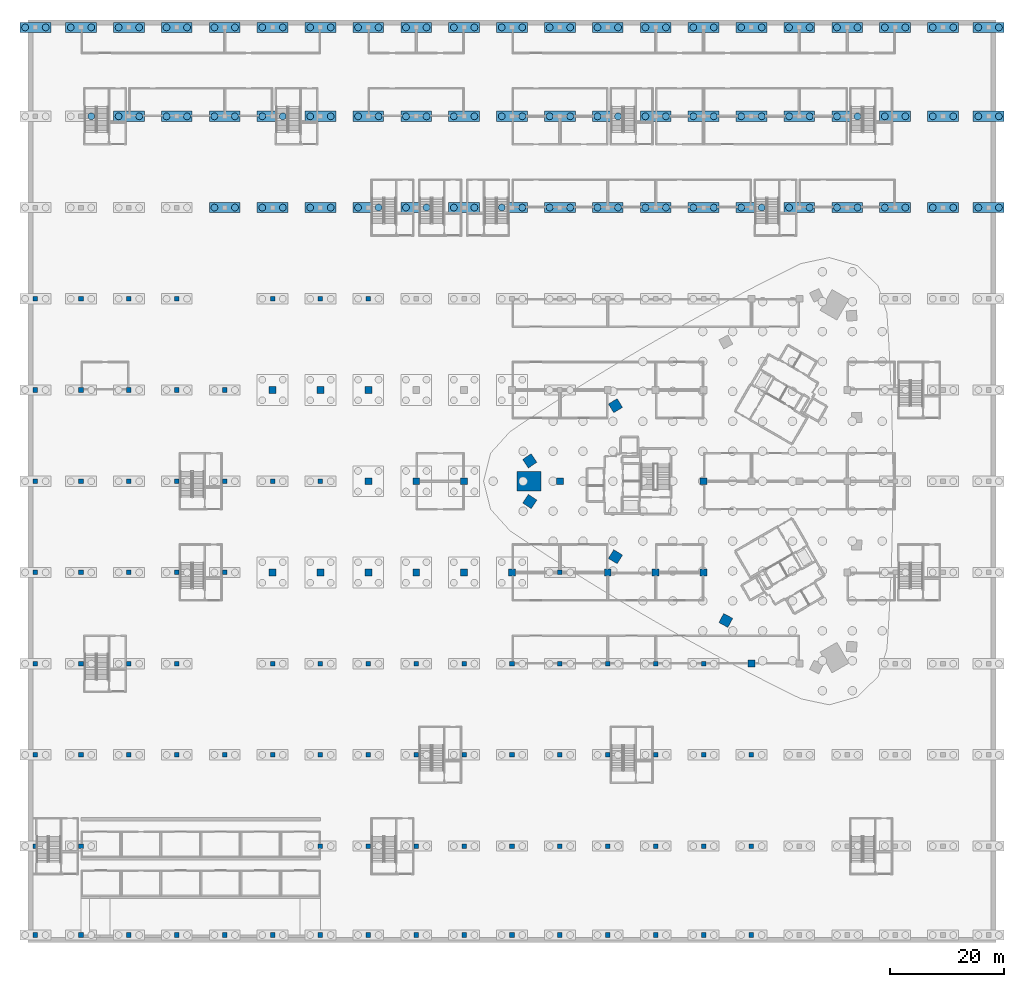
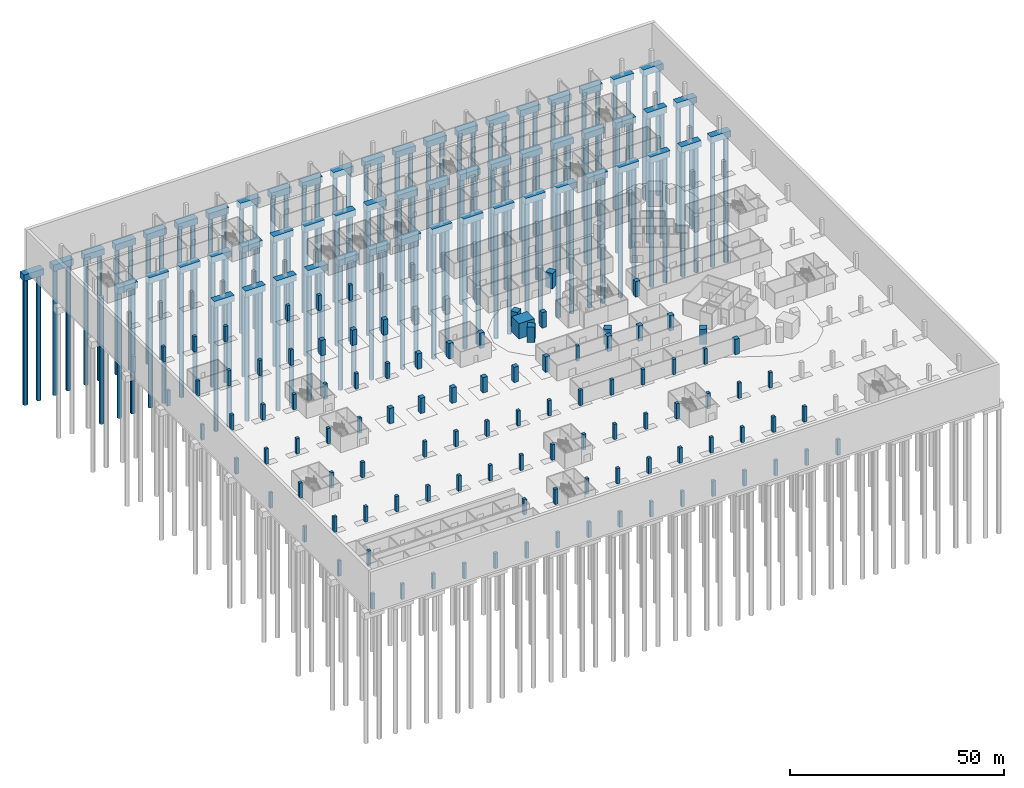
# One storey, part 3 of 46: 115 piles, 107 columns, 57 footings.
"""IFC4 building model written with IfcOpenShell, lengths in metres."""

from ifc_helpers import new_model, si_unit, direction, frame, origin, origin_2d, place, context, subcontext, project, spatial, rectangle, circle, extrude, material, material_profile, profile_set, type_object, element, save


model = new_model("IFC4")

# Units and contexts
model_context = context("Model", 3, precision=1e-05, world=origin(), true_north=direction((0.0, 1.0)))
body_context = subcontext(model_context, "Body", "Model", "MODEL_VIEW")
ifc_project = project(units=[si_unit("LENGTHUNIT", "METRE"), si_unit("AREAUNIT", "SQUARE_METRE"), si_unit("VOLUMEUNIT", "CUBIC_METRE"), si_unit("PLANEANGLEUNIT", "RADIAN"), si_unit("MASSUNIT", "GRAM", prefix="KILO")], contexts=[model_context])

# Site, building, storey
site_placement = place(None, origin())
site = spatial("IfcSite", under=ifc_project, at=site_placement, CompositionType="ELEMENT")
building_placement = place(site_placement, origin())
building = spatial("IfcBuilding", under=site, at=building_placement, Name="Tamra Quay Hotel Tower", CompositionType="ELEMENT")
storey_placement = place(building_placement, frame((0.0, 0.0, -12.0)))
storey = spatial("IfcBuildingStorey", under=building, at=storey_placement, Name="B3", CompositionType="ELEMENT", Elevation=-12.0)

# Piles
ifc_material_1 = material(Name="Concrete M40", Category="concrete")
ifc_material_profile_1 = material_profile(ifc_material_1, circle(Radius=0.60009765625, at=origin_2d()), Name="BORED PILE 1200")
ifc_profile_set_1 = profile_set([ifc_material_profile_1], Name="Concrete M40")
pile_type = type_object("IfcPileType", Name="BORED PILE 1200", PredefinedType="BORED", material=ifc_profile_set_1)
for number, where, z_axis, x_axis, name in (
    (1, (-124.10009765625, 79.60009765625, -1.60009765625), (0.0, 0.0, -1.0), (1.0, 0.0, 0.0), "PILE-BC011-1"),
    (2, (-120.5, 79.60009765625, -1.60009765625), (0.0, 0.0, -1.0), (1.0, 0.0, 0.0), "PILE-BC011-2"),
    (3, (-112.5, 64.0, -1.60009765625), (0.0, 0.0, -1.0), (1.0, 0.0, 0.0), "PILE-BC021-2"),
    (4, (-116.10009765625, 79.60009765625, -1.60009765625), (0.0, 0.0, -1.0), (1.0, 0.0, 0.0), "PILE-BC022-1"),
    (5, (-112.5, 79.60009765625, -1.60009765625), (0.0, 0.0, -1.0), (1.0, 0.0, 0.0), "PILE-BC022-2"),
    (6, (-107.699951171875, 64.0, -1.60009765625), (0.0, 0.0, -1.0), (1.0, 0.0, 0.0), "PILE-BC031-1"),
    (7, (-104.10009765625, 64.0, -1.60009765625), (0.0, 0.0, -1.0), (1.0, 0.0, 0.0), "PILE-BC031-2"),
    (8, (-107.699951171875, 79.60009765625, -1.60009765625), (0.0, 0.0, -1.0), (1.0, 0.0, 0.0), "PILE-BC032-1"),
    (9, (-104.10009765625, 79.60009765625, -1.60009765625), (0.0, 0.0, -1.0), (1.0, 0.0, 0.0), "PILE-BC032-2"),
    (10, (-99.300048828125, 64.0, -1.60009765625), (0.0, 0.0, -1.0), (1.0, 0.0, 0.0), "PILE-BC041-1"),
    (11, (-95.699951171875, 64.0, -1.60009765625), (0.0, 0.0, -1.0), (1.0, 0.0, 0.0), "PILE-BC041-2"),
    (12, (-99.300048828125, 79.60009765625, -1.60009765625), (0.0, 0.0, -1.0), (1.0, 0.0, 0.0), "PILE-BC042-1"),
    (13, (-95.699951171875, 79.60009765625, -1.60009765625), (0.0, 0.0, -1.0), (1.0, 0.0, 0.0), "PILE-BC042-2"),
    (14, (-90.89990234375, 48.0, -1.60009765625), (0.0, 0.0, -1.0), (1.0, 0.0, 0.0), "PILE-BC048-1"),
    (15, (-87.300048828125, 48.0, -1.60009765625), (0.0, 0.0, -1.0), (1.0, 0.0, 0.0), "PILE-BC048-2"),
    (16, (-90.89990234375, 64.0, -1.60009765625), (0.0, 0.0, -1.0), (1.0, 0.0, 0.0), "PILE-BC049-1"),
    (17, (-87.300048828125, 64.0, -1.60009765625), (0.0, 0.0, -1.0), (1.0, 0.0, 0.0), "PILE-BC049-2"),
    (18, (-90.89990234375, 79.60009765625, -1.60009765625), (0.0, 0.0, -1.0), (1.0, 0.0, 0.0), "PILE-BC050-1"),
    (19, (-87.300048828125, 79.60009765625, -1.60009765625), (0.0, 0.0, -1.0), (1.0, 0.0, 0.0), "PILE-BC050-2"),
    (20, (-82.5, 48.0, -1.60009765625), (0.0, 0.0, -1.0), (1.0, 0.0, 0.0), "PILE-BC058-1"),
    (21, (-78.89990234375, 48.0, -1.60009765625), (0.0, 0.0, -1.0), (1.0, 0.0, 0.0), "PILE-BC058-2"),
    (22, (-82.5, 64.0, -1.60009765625), (0.0, 0.0, -1.0), (1.0, 0.0, 0.0), "PILE-BC059-1"),
    (23, (-78.89990234375, 64.0, -1.60009765625), (0.0, 0.0, -1.0), (1.0, 0.0, 0.0), "PILE-BC059-2"),
    (24, (-82.5, 79.60009765625, -1.60009765625), (0.0, 0.0, -1.0), (1.0, 0.0, 0.0), "PILE-BC060-1"),
    (25, (-78.89990234375, 79.60009765625, -1.60009765625), (0.0, 0.0, -1.0), (1.0, 0.0, 0.0), "PILE-BC060-2"),
    (26, (-74.10009765625, 48.0, -1.60009765625), (0.0, 0.0, -1.0), (1.0, 0.0, 0.0), "PILE-BC069-1"),
    (27, (-70.5, 48.0, -1.60009765625), (0.0, 0.0, -1.0), (1.0, 0.0, 0.0), "PILE-BC069-2"),
    (28, (-74.10009765625, 64.0, -1.60009765625), (0.0, 0.0, -1.0), (1.0, 0.0, 0.0), "PILE-BC070-1"),
    (29, (-70.5, 64.0, -1.60009765625), (0.0, 0.0, -1.0), (1.0, 0.0, 0.0), "PILE-BC070-2"),
    (30, (-74.10009765625, 79.60009765625, -1.60009765625), (0.0, 0.0, -1.0), (1.0, 0.0, 0.0), "PILE-BC071-1"),
    (31, (-70.5, 79.60009765625, -1.60009765625), (0.0, 0.0, -1.0), (1.0, 0.0, 0.0), "PILE-BC071-2"),
    (32, (-65.699951171875, 48.0, -1.60009765625), (0.0, 0.0, -1.0), (1.0, 0.0, 0.0), "PILE-BC080-1"),
    (33, (-62.10009765625, 48.0, -1.60009765625), (0.0, 0.0, -1.0), (1.0, 0.0, 0.0), "PILE-BC080-2"),
    (34, (-65.699951171875, 64.0, -1.60009765625), (0.0, 0.0, -1.0), (1.0, 0.0, 0.0), "PILE-BC081-1"),
    (35, (-62.10009765625, 64.0, -1.60009765625), (0.0, 0.0, -1.0), (1.0, 0.0, 0.0), "PILE-BC081-2"),
    (36, (-65.699951171875, 79.60009765625, -1.60009765625), (0.0, 0.0, -1.0), (1.0, 0.0, 0.0), "PILE-BC082-1"),
    (37, (-62.10009765625, 79.60009765625, -1.60009765625), (0.0, 0.0, -1.0), (1.0, 0.0, 0.0), "PILE-BC082-2"),
    (38, (-57.300048828125, 48.0, -1.60009765625), (0.0, 0.0, -1.0), (1.0, 0.0, 0.0), "PILE-BC091-1"),
    (39, (-53.699951171875, 48.0, -1.60009765625), (0.0, 0.0, -1.0), (1.0, 0.0, 0.0), "PILE-BC091-2"),
    (40, (-57.300048828125, 64.0, -1.60009765625), (0.0, 0.0, -1.0), (1.0, 0.0, 0.0), "PILE-BC092-1"),
    (41, (-53.699951171875, 64.0, -1.60009765625), (0.0, 0.0, -1.0), (1.0, 0.0, 0.0), "PILE-BC092-2"),
    (42, (-57.300048828125, 79.60009765625, -1.60009765625), (0.0, 0.0, -1.0), (1.0, 0.0, 0.0), "PILE-BC093-1"),
    (43, (-53.699951171875, 79.60009765625, -1.60009765625), (0.0, 0.0, -1.0), (1.0, 0.0, 0.0), "PILE-BC093-2"),
    (44, (-48.89990234375, 48.0, -1.60009765625), (0.0, 0.0, -1.0), (1.0, 0.0, 0.0), "PILE-BC102-1"),
    (45, (-45.300048828125, 48.0, -1.60009765625), (0.0, 0.0, -1.0), (1.0, 0.0, 0.0), "PILE-BC102-2"),
    (46, (-48.89990234375, 64.0, -1.60009765625), (0.0, 0.0, -1.0), (1.0, 0.0, 0.0), "PILE-BC103-1"),
    (47, (-45.300048828125, 64.0, -1.60009765625), (0.0, 0.0, -1.0), (1.0, 0.0, 0.0), "PILE-BC103-2"),
    (48, (-48.89990234375, 79.60009765625, -1.60009765625), (0.0, 0.0, -1.0), (1.0, 0.0, 0.0), "PILE-BC104-1"),
    (49, (-45.300048828125, 79.60009765625, -1.60009765625), (0.0, 0.0, -1.0), (1.0, 0.0, 0.0), "PILE-BC104-2"),
    (50, (-40.5, 48.0, -1.60009765625), (0.0, 0.0, -1.0), (1.0, 0.0, 0.0), "PILE-BC112-1"),
    (51, (-36.89990234375, 48.0, -1.60009765625), (0.0, 0.0, -1.0), (1.0, 0.0, 0.0), "PILE-BC112-2"),
    (52, (-40.5, 64.0, -1.60009765625), (0.0, 0.0, -1.0), (1.0, 0.0, 0.0), "PILE-BC113-1"),
    (53, (-36.89990234375, 64.0, -1.60009765625), (0.0, 0.0, -1.0), (1.0, 0.0, 0.0), "PILE-BC113-2"),
    (54, (-40.5, 79.60009765625, -1.60009765625), (0.0, 0.0, -1.0), (1.0, 0.0, 0.0), "PILE-BC114-1"),
    (55, (-36.89990234375, 79.60009765625, -1.60009765625), (0.0, 0.0, -1.0), (1.0, 0.0, 0.0), "PILE-BC114-2"),
    (56, (-32.10009765625, 48.0, -1.60009765625), (0.0, 0.0, -1.0), (1.0, 0.0, 0.0), "PILE-BC123-1"),
    (57, (-28.5, 48.0, -1.60009765625), (0.0, 0.0, -1.0), (1.0, 0.0, 0.0), "PILE-BC123-2"),
    (58, (-32.10009765625, 64.0, -1.60009765625), (0.0, 0.0, -1.0), (1.0, 0.0, 0.0), "PILE-BC124-1"),
    (59, (-28.5, 64.0, -1.60009765625), (0.0, 0.0, -1.0), (1.0, 0.0, 0.0), "PILE-BC124-2"),
    (60, (-32.10009765625, 79.60009765625, -1.60009765625), (0.0, 0.0, -1.0), (1.0, 0.0, 0.0), "PILE-BC125-1"),
    (61, (-28.5, 79.60009765625, -1.60009765625), (0.0, 0.0, -1.0), (1.0, 0.0, 0.0), "PILE-BC125-2"),
    (62, (-23.699951171875, 48.0, -1.60009765625), (0.0, 0.0, -1.0), (1.0, 0.0, 0.0), "PILE-BC133-1"),
    (63, (-20.10009765625, 48.0, -1.60009765625), (0.0, 0.0, -1.0), (1.0, 0.0, 0.0), "PILE-BC133-2"),
    (64, (-23.699951171875, 64.0, -1.60009765625), (0.0, 0.0, -1.0), (1.0, 0.0, 0.0), "PILE-BC134-1"),
    (65, (-20.10009765625, 64.0, -1.60009765625), (0.0, 0.0, -1.0), (1.0, 0.0, 0.0), "PILE-BC134-2"),
    (66, (-23.699951171875, 79.60009765625, -1.60009765625), (0.0, 0.0, -1.0), (1.0, 0.0, 0.0), "PILE-BC135-1"),
    (67, (-20.10009765625, 79.60009765625, -1.60009765625), (0.0, 0.0, -1.0), (1.0, 0.0, 0.0), "PILE-BC135-2"),
    (68, (-15.300048828125, 48.0, -1.60009765625), (0.0, 0.0, -1.0), (1.0, 0.0, 0.0), "PILE-BC143-1"),
    (69, (-11.699951171875, 48.0, -1.60009765625), (0.0, 0.0, -1.0), (1.0, 0.0, 0.0), "PILE-BC143-2"),
    (70, (-15.300048828125, 64.0, -1.60009765625), (0.0, 0.0, -1.0), (1.0, 0.0, 0.0), "PILE-BC144-1"),
    (71, (-11.699951171875, 64.0, -1.60009765625), (0.0, 0.0, -1.0), (1.0, 0.0, 0.0), "PILE-BC144-2"),
    (72, (-15.300048828125, 79.60009765625, -1.60009765625), (0.0, 0.0, -1.0), (1.0, 0.0, 0.0), "PILE-BC145-1"),
    (73, (-11.699951171875, 79.60009765625, -1.60009765625), (0.0, 0.0, -1.0), (1.0, 0.0, 0.0), "PILE-BC145-2"),
    (74, (-6.89990234375, 48.0, -1.60009765625), (0.0, 0.0, -1.0), (1.0, 0.0, 0.0), "PILE-BC154-1"),
    (75, (-3.300048828125, 48.0, -1.60009765625), (0.0, 0.0, -1.0), (1.0, 0.0, 0.0), "PILE-BC154-2"),
    (76, (-6.89990234375, 64.0, -1.60009765625), (0.0, 0.0, -1.0), (1.0, 0.0, 0.0), "PILE-BC155-1"),
    (77, (-3.300048828125, 64.0, -1.60009765625), (0.0, 0.0, -1.0), (1.0, 0.0, 0.0), "PILE-BC155-2"),
    (78, (-6.89990234375, 79.60009765625, -1.60009765625), (0.0, 0.0, -1.0), (1.0, 0.0, 0.0), "PILE-BC156-1"),
    (79, (-3.300048828125, 79.60009765625, -1.60009765625), (0.0, 0.0, -1.0), (1.0, 0.0, 0.0), "PILE-BC156-2"),
    (80, (1.5, 48.0, -1.60009765625), (0.0, 0.0, -1.0), (1.0, 0.0, 0.0), "PILE-BC163-1"),
    (81, (5.10009765625, 48.0, -1.60009765625), (0.0, 0.0, -1.0), (1.0, 0.0, 0.0), "PILE-BC163-2"),
    (82, (1.5, 64.0, -1.60009765625), (0.0, 0.0, -1.0), (1.0, 0.0, 0.0), "PILE-BC164-1"),
    (83, (5.10009765625, 64.0, -1.60009765625), (0.0, 0.0, -1.0), (1.0, 0.0, 0.0), "PILE-BC164-2"),
    (84, (1.5, 79.60009765625, -1.60009765625), (0.0, 0.0, -1.0), (1.0, 0.0, 0.0), "PILE-BC165-1"),
    (85, (5.10009765625, 79.60009765625, -1.60009765625), (0.0, 0.0, -1.0), (1.0, 0.0, 0.0), "PILE-BC165-2"),
    (86, (9.89990234375, 48.0, -1.60009765625), (0.0, 0.0, -1.0), (1.0, 0.0, 0.0), "PILE-BC172-1"),
    (87, (13.5, 48.0, -1.60009765625), (0.0, 0.0, -1.0), (1.0, 0.0, 0.0), "PILE-BC172-2"),
    (88, (9.89990234375, 64.0, -1.60009765625), (0.0, 0.0, -1.0), (1.0, 0.0, 0.0), "PILE-BC173-1"),
    (89, (13.5, 64.0, -1.60009765625), (0.0, 0.0, -1.0), (1.0, 0.0, 0.0), "PILE-BC173-2"),
    (90, (9.89990234375, 79.60009765625, -1.60009765625), (0.0, 0.0, -1.0), (1.0, 0.0, 0.0), "PILE-BC174-1"),
    (91, (13.5, 79.60009765625, -1.60009765625), (0.0, 0.0, -1.0), (1.0, 0.0, 0.0), "PILE-BC174-2"),
    (92, (18.300048828125, 48.0, -1.60009765625), (0.0, 0.0, -1.0), (1.0, 0.0, 0.0), "PILE-BC181-1"),
    (93, (21.89990234375, 48.0, -1.60009765625), (0.0, 0.0, -1.0), (1.0, 0.0, 0.0), "PILE-BC181-2"),
    (94, (18.300048828125, 64.0, -1.60009765625), (0.0, 0.0, -1.0), (1.0, 0.0, 0.0), "PILE-BC182-1"),
    (95, (21.89990234375, 64.0, -1.60009765625), (0.0, 0.0, -1.0), (1.0, 0.0, 0.0), "PILE-BC182-2"),
    (96, (18.300048828125, 79.60009765625, -1.60009765625), (0.0, 0.0, -1.0), (1.0, 0.0, 0.0), "PILE-BC183-1"),
    (97, (21.89990234375, 79.60009765625, -1.60009765625), (0.0, 0.0, -1.0), (1.0, 0.0, 0.0), "PILE-BC183-2"),
    (98, (26.699951171875, 48.0, -1.60009765625), (0.0, 0.0, -1.0), (1.0, 0.0, 0.0), "PILE-BC192-1"),
    (99, (30.300048828125, 48.0, -1.60009765625), (0.0, 0.0, -1.0), (1.0, 0.0, 0.0), "PILE-BC192-2"),
    (100, (26.699951171875, 64.0, -1.60009765625), (0.0, 0.0, -1.0), (1.0, 0.0, 0.0), "PILE-BC193-1"),
    (101, (30.300048828125, 64.0, -1.60009765625), (0.0, 0.0, -1.0), (1.0, 0.0, 0.0), "PILE-BC193-2"),
    (102, (26.699951171875, 79.60009765625, -1.60009765625), (0.0, 0.0, -1.0), (1.0, 0.0, 0.0), "PILE-BC194-1"),
    (103, (30.300048828125, 79.60009765625, -1.60009765625), (0.0, 0.0, -1.0), (1.0, 0.0, 0.0), "PILE-BC194-2"),
    (104, (35.10009765625, 48.0, -1.60009765625), (0.0, 0.0, -1.0), (1.0, 0.0, 0.0), "PILE-BC203-1"),
    (105, (38.699951171875, 48.0, -1.60009765625), (0.0, 0.0, -1.0), (1.0, 0.0, 0.0), "PILE-BC203-2"),
    (106, (35.10009765625, 64.0, -1.60009765625), (0.0, 0.0, -1.0), (1.0, 0.0, 0.0), "PILE-BC204-1"),
    (107, (38.699951171875, 64.0, -1.60009765625), (0.0, 0.0, -1.0), (1.0, 0.0, 0.0), "PILE-BC204-2"),
    (108, (35.10009765625, 79.60009765625, -1.60009765625), (0.0, 0.0, -1.0), (1.0, 0.0, 0.0), "PILE-BC205-1"),
    (109, (38.699951171875, 79.60009765625, -1.60009765625), (0.0, 0.0, -1.0), (1.0, 0.0, 0.0), "PILE-BC205-2"),
    (110, (43.10009765625, 48.0, -1.60009765625), (0.0, 0.0, -1.0), (1.0, 0.0, 0.0), "PILE-BC214-1"),
    (111, (46.699951171875, 48.0, -1.60009765625), (0.0, 0.0, -1.0), (1.0, 0.0, 0.0), "PILE-BC214-2"),
    (112, (43.10009765625, 64.0, -1.60009765625), (0.0, 0.0, -1.0), (1.0, 0.0, 0.0), "PILE-BC215-1"),
    (113, (46.699951171875, 64.0, -1.60009765625), (0.0, 0.0, -1.0), (1.0, 0.0, 0.0), "PILE-BC215-2"),
    (114, (43.10009765625, 79.60009765625, -1.60009765625), (0.0, 0.0, -1.0), (1.0, 0.0, 0.0), "PILE-BC216-1"),
    (115, (46.699951171875, 79.60009765625, -1.60009765625), (0.0, 0.0, -1.0), (1.0, 0.0, 0.0), "PILE-BC216-2"),
):
    element("IfcPile", number, at=place(storey_placement, frame(where, z_axis=z_axis, x_axis=x_axis)), inside=storey, type_object=pile_type, Name=name, PredefinedType="BORED", context=body_context, shape_type="SweptSolid", body=[
        extrude(circle(Radius=0.60009765625, at=origin_2d()), origin(), (0.0, 0.0, 1.0), 36.0),
    ])

# Footings
ifc_material_2 = material(Name="Concrete M50", Category="concrete")
footing_type = type_object("IfcFootingType", Name="PILE CAP 2 PILES", PredefinedType="PILE_CAP", material=ifc_material_2)
for number, where, z_axis, x_axis, name in (
    (116, (-122.300048828125, 79.60009765625, -1.7998046875), (0.0, 0.0, 1.0), (1.0, 0.0, 0.0), "CAP-BC011"),
    (117, (-114.300048828125, 79.60009765625, -1.7998046875), (0.0, 0.0, 1.0), (1.0, 0.0, 0.0), "CAP-BC022"),
    (118, (-105.89990234375, 64.0, -1.7998046875), (0.0, 0.0, 1.0), (1.0, 0.0, 0.0), "CAP-BC031"),
    (119, (-105.89990234375, 79.60009765625, -1.7998046875), (0.0, 0.0, 1.0), (1.0, 0.0, 0.0), "CAP-BC032"),
    (120, (-97.5, 64.0, -1.7998046875), (0.0, 0.0, 1.0), (1.0, 0.0, 0.0), "CAP-BC041"),
    (121, (-97.5, 79.60009765625, -1.7998046875), (0.0, 0.0, 1.0), (1.0, 0.0, 0.0), "CAP-BC042"),
    (122, (-89.10009765625, 48.0, -1.7998046875), (0.0, 0.0, 1.0), (1.0, 0.0, 0.0), "CAP-BC048"),
    (123, (-89.10009765625, 64.0, -1.7998046875), (0.0, 0.0, 1.0), (1.0, 0.0, 0.0), "CAP-BC049"),
    (124, (-89.10009765625, 79.60009765625, -1.7998046875), (0.0, 0.0, 1.0), (1.0, 0.0, 0.0), "CAP-BC050"),
    (125, (-80.699951171875, 48.0, -1.7998046875), (0.0, 0.0, 1.0), (1.0, 0.0, 0.0), "CAP-BC058"),
    (126, (-80.699951171875, 64.0, -1.7998046875), (0.0, 0.0, 1.0), (1.0, 0.0, 0.0), "CAP-BC059"),
    (127, (-80.699951171875, 79.60009765625, -1.7998046875), (0.0, 0.0, 1.0), (1.0, 0.0, 0.0), "CAP-BC060"),
    (128, (-72.300048828125, 48.0, -1.7998046875), (0.0, 0.0, 1.0), (1.0, 0.0, 0.0), "CAP-BC069"),
    (129, (-72.300048828125, 64.0, -1.7998046875), (0.0, 0.0, 1.0), (1.0, 0.0, 0.0), "CAP-BC070"),
    (130, (-72.300048828125, 79.60009765625, -1.7998046875), (0.0, 0.0, 1.0), (1.0, 0.0, 0.0), "CAP-BC071"),
    (131, (-63.89990234375, 48.0, -1.7998046875), (0.0, 0.0, 1.0), (1.0, 0.0, 0.0), "CAP-BC080"),
    (132, (-63.89990234375, 64.0, -1.7998046875), (0.0, 0.0, 1.0), (1.0, 0.0, 0.0), "CAP-BC081"),
    (133, (-63.89990234375, 79.60009765625, -1.7998046875), (0.0, 0.0, 1.0), (1.0, 0.0, 0.0), "CAP-BC082"),
    (134, (-55.5, 48.0, -1.7998046875), (0.0, 0.0, 1.0), (1.0, 0.0, 0.0), "CAP-BC091"),
    (135, (-55.5, 64.0, -1.7998046875), (0.0, 0.0, 1.0), (1.0, 0.0, 0.0), "CAP-BC092"),
    (136, (-55.5, 79.60009765625, -1.7998046875), (0.0, 0.0, 1.0), (1.0, 0.0, 0.0), "CAP-BC093"),
    (137, (-47.10009765625, 48.0, -1.7998046875), (0.0, 0.0, 1.0), (1.0, 0.0, 0.0), "CAP-BC102"),
    (138, (-47.10009765625, 64.0, -1.7998046875), (0.0, 0.0, 1.0), (1.0, 0.0, 0.0), "CAP-BC103"),
    (139, (-47.10009765625, 79.60009765625, -1.7998046875), (0.0, 0.0, 1.0), (1.0, 0.0, 0.0), "CAP-BC104"),
    (140, (-38.699951171875, 48.0, -1.7998046875), (0.0, 0.0, 1.0), (1.0, 0.0, 0.0), "CAP-BC112"),
    (141, (-38.699951171875, 64.0, -1.7998046875), (0.0, 0.0, 1.0), (1.0, 0.0, 0.0), "CAP-BC113"),
    (142, (-38.699951171875, 79.60009765625, -1.7998046875), (0.0, 0.0, 1.0), (1.0, 0.0, 0.0), "CAP-BC114"),
    (143, (-30.300048828125, 48.0, -1.7998046875), (0.0, 0.0, 1.0), (1.0, 0.0, 0.0), "CAP-BC123"),
    (144, (-30.300048828125, 64.0, -1.7998046875), (0.0, 0.0, 1.0), (1.0, 0.0, 0.0), "CAP-BC124"),
    (145, (-30.300048828125, 79.60009765625, -1.7998046875), (0.0, 0.0, 1.0), (1.0, 0.0, 0.0), "CAP-BC125"),
    (146, (-21.89990234375, 48.0, -1.7998046875), (0.0, 0.0, 1.0), (1.0, 0.0, 0.0), "CAP-BC133"),
    (147, (-21.89990234375, 64.0, -1.7998046875), (0.0, 0.0, 1.0), (1.0, 0.0, 0.0), "CAP-BC134"),
    (148, (-21.89990234375, 79.60009765625, -1.7998046875), (0.0, 0.0, 1.0), (1.0, 0.0, 0.0), "CAP-BC135"),
    (149, (-13.5, 48.0, -1.7998046875), (0.0, 0.0, 1.0), (1.0, 0.0, 0.0), "CAP-BC143"),
    (150, (-13.5, 64.0, -1.7998046875), (0.0, 0.0, 1.0), (1.0, 0.0, 0.0), "CAP-BC144"),
    (151, (-13.5, 79.60009765625, -1.7998046875), (0.0, 0.0, 1.0), (1.0, 0.0, 0.0), "CAP-BC145"),
    (152, (-5.10009765625, 48.0, -1.7998046875), (0.0, 0.0, 1.0), (1.0, 0.0, 0.0), "CAP-BC154"),
    (153, (-5.10009765625, 64.0, -1.7998046875), (0.0, 0.0, 1.0), (1.0, 0.0, 0.0), "CAP-BC155"),
    (154, (-5.10009765625, 79.60009765625, -1.7998046875), (0.0, 0.0, 1.0), (1.0, 0.0, 0.0), "CAP-BC156"),
    (155, (3.300048828125, 48.0, -1.7998046875), (0.0, 0.0, 1.0), (1.0, 0.0, 0.0), "CAP-BC163"),
    (156, (3.300048828125, 64.0, -1.7998046875), (0.0, 0.0, 1.0), (1.0, 0.0, 0.0), "CAP-BC164"),
    (157, (3.300048828125, 79.60009765625, -1.7998046875), (0.0, 0.0, 1.0), (1.0, 0.0, 0.0), "CAP-BC165"),
    (158, (11.699951171875, 48.0, -1.7998046875), (0.0, 0.0, 1.0), (1.0, 0.0, 0.0), "CAP-BC172"),
    (159, (11.699951171875, 64.0, -1.7998046875), (0.0, 0.0, 1.0), (1.0, 0.0, 0.0), "CAP-BC173"),
    (160, (11.699951171875, 79.60009765625, -1.7998046875), (0.0, 0.0, 1.0), (1.0, 0.0, 0.0), "CAP-BC174"),
    (161, (20.10009765625, 48.0, -1.7998046875), (0.0, 0.0, 1.0), (1.0, 0.0, 0.0), "CAP-BC181"),
    (162, (20.10009765625, 64.0, -1.7998046875), (0.0, 0.0, 1.0), (1.0, 0.0, 0.0), "CAP-BC182"),
    (163, (20.10009765625, 79.60009765625, -1.7998046875), (0.0, 0.0, 1.0), (1.0, 0.0, 0.0), "CAP-BC183"),
    (164, (28.5, 48.0, -1.7998046875), (0.0, 0.0, 1.0), (1.0, 0.0, 0.0), "CAP-BC192"),
    (165, (28.5, 64.0, -1.7998046875), (0.0, 0.0, 1.0), (1.0, 0.0, 0.0), "CAP-BC193"),
    (166, (28.5, 79.60009765625, -1.7998046875), (0.0, 0.0, 1.0), (1.0, 0.0, 0.0), "CAP-BC194"),
    (167, (36.89990234375, 48.0, -1.7998046875), (0.0, 0.0, 1.0), (1.0, 0.0, 0.0), "CAP-BC203"),
    (168, (36.89990234375, 64.0, -1.7998046875), (0.0, 0.0, 1.0), (1.0, 0.0, 0.0), "CAP-BC204"),
    (169, (36.89990234375, 79.60009765625, -1.7998046875), (0.0, 0.0, 1.0), (1.0, 0.0, 0.0), "CAP-BC205"),
    (170, (44.89990234375, 48.0, -1.7998046875), (0.0, 0.0, 1.0), (1.0, 0.0, 0.0), "CAP-BC214"),
    (171, (44.89990234375, 64.0, -1.7998046875), (0.0, 0.0, 1.0), (1.0, 0.0, 0.0), "CAP-BC215"),
    (172, (44.89990234375, 79.60009765625, -1.7998046875), (0.0, 0.0, 1.0), (1.0, 0.0, 0.0), "CAP-BC216"),
):
    element("IfcFooting", number, at=place(storey_placement, frame(where, z_axis=z_axis, x_axis=x_axis)), inside=storey, type_object=footing_type, Name=name, PredefinedType="PILE_CAP", context=body_context, shape_type="SweptSolid", body=[
        extrude(rectangle(XDim=5.39990234375, YDim=1.800048828125, at=origin_2d()), origin(), (0.0, 0.0, 1.0), 1.800048828125),
    ])

# Columns
ifc_material_3 = material(Name="Concrete M70", Category="concrete")
ifc_material_profile_2 = material_profile(ifc_material_3, rectangle(XDim=1.199951171875, YDim=1.199951171875, at=origin_2d()), Name="LATTICE COLUMN RC 1200x1200")
ifc_profile_set_2 = profile_set([ifc_material_profile_2], Name="Concrete M70")
column_type_1 = type_object("IfcColumnType", Name="LATTICE COLUMN RC 1200x1200", PredefinedType="COLUMN", material=ifc_profile_set_2)
for number, where, z_axis, x_axis, name in (
    (173, (-80.699951171875, -16.0, 0.0), (0.0, 0.0, 1.0), (1.0, 0.0, 0.0), "COL-BC054-B3"),
    (174, (-80.699951171875, 16.0, 0.0), (0.0, 0.0, 1.0), (1.0, 0.0, 0.0), "COL-BC056-B3"),
    (175, (-72.300048828125, -16.0, 0.0), (0.0, 0.0, 1.0), (1.0, 0.0, 0.0), "COL-BC065-B3"),
    (176, (-72.300048828125, 16.0, 0.0), (0.0, 0.0, 1.0), (1.0, 0.0, 0.0), "COL-BC067-B3"),
    (177, (-63.89990234375, -16.0, 0.0), (0.0, 0.0, 1.0), (1.0, 0.0, 0.0), "COL-BC076-B3"),
    (178, (-63.89990234375, 0.0, 0.0), (0.0, 0.0, 1.0), (1.0, 0.0, 0.0), "COL-BC077-B3"),
    (179, (-63.89990234375, 16.0, 0.0), (0.0, 0.0, 1.0), (1.0, 0.0, 0.0), "COL-BC078-B3"),
    (180, (-55.5, -16.0, 0.0), (0.0, 0.0, 1.0), (1.0, 0.0, 0.0), "COL-BC087-B3"),
    (181, (-55.5, 0.0, 0.0), (0.0, 0.0, 1.0), (1.0, 0.0, 0.0), "COL-BC088-B3"),
    (182, (-47.10009765625, -16.0, 0.0), (0.0, 0.0, 1.0), (1.0, 0.0, 0.0), "COL-BC098-B3"),
    (183, (-47.10009765625, 0.0, 0.0), (0.0, 0.0, 1.0), (1.0, 0.0, 0.0), "COL-BC099-B3"),
    (184, (-38.699951171875, -16.0, 0.0), (0.0, 0.0, 1.0), (1.0, 0.0, 0.0), "COL-BC109-B3"),
    (185, (-30.300048828125, 0.0, 0.0), (0.0, 0.0, 1.0), (1.0, 0.0, 0.0), "COL-BC120-B3"),
    (186, (-21.89990234375, -16.0, 0.0), (0.0, 0.0, 1.0), (1.0, 0.0, 0.0), "COL-BC130-B3"),
    (187, (-13.5, -16.0, 0.0), (0.0, 0.0, 1.0), (1.0, 0.0, 0.0), "COL-BC140-B3"),
    (188, (-5.10009765625, -16.0, 0.0), (0.0, 0.0, 1.0), (1.0, 0.0, 0.0), "COL-BC150-B3"),
    (189, (-5.10009765625, 0.0, 0.0), (0.0, 0.0, 1.0), (1.0, 0.0, 0.0), "COL-BC151-B3"),
    (190, (3.300048828125, -32.0, 0.0), (0.0, 0.0, 1.0), (1.0, 0.0, 0.0), "COL-BC160-B3"),
):
    element("IfcColumn", number, at=place(storey_placement, frame(where, z_axis=z_axis, x_axis=x_axis)), inside=storey, type_object=column_type_1, Name=name, PredefinedType="COLUMN", context=body_context, shape_type="SweptSolid", body=[
        extrude(rectangle(XDim=1.199951171875, YDim=1.199951171875, at=origin_2d()), origin(), (0.0, 0.0, 1.0), 4.39990234375),
    ])
ifc_material_profile_3 = material_profile(ifc_material_3, rectangle(XDim=0.800048828125, YDim=0.800048828125, at=origin_2d()), Name="LATTICE COLUMN RC 800x800")
ifc_profile_set_3 = profile_set([ifc_material_profile_3], Name="Concrete M70")
column_type_2 = type_object("IfcColumnType", Name="LATTICE COLUMN RC 800x800", PredefinedType="COLUMN", material=ifc_profile_set_3)
for number, where, z_axis, x_axis, name in (
    (191, (-122.300048828125, -79.60009765625, 0.0), (0.0, 0.0, 1.0), (1.0, 0.0, 0.0), "COL-BC001-B3"),
    (192, (-122.300048828125, -64.0, 0.0), (0.0, 0.0, 1.0), (1.0, 0.0, 0.0), "COL-BC002-B3"),
    (193, (-122.300048828125, -48.0, 0.0), (0.0, 0.0, 1.0), (1.0, 0.0, 0.0), "COL-BC003-B3"),
    (194, (-122.300048828125, -32.0, 0.0), (0.0, 0.0, 1.0), (1.0, 0.0, 0.0), "COL-BC004-B3"),
    (195, (-122.300048828125, -16.0, 0.0), (0.0, 0.0, 1.0), (1.0, 0.0, 0.0), "COL-BC005-B3"),
    (196, (-122.300048828125, 0.0, 0.0), (0.0, 0.0, 1.0), (1.0, 0.0, 0.0), "COL-BC006-B3"),
    (197, (-122.300048828125, 16.0, 0.0), (0.0, 0.0, 1.0), (1.0, 0.0, 0.0), "COL-BC007-B3"),
    (198, (-122.300048828125, 32.0, 0.0), (0.0, 0.0, 1.0), (1.0, 0.0, 0.0), "COL-BC008-B3"),
    (199, (-114.300048828125, -79.60009765625, 0.0), (0.0, 0.0, 1.0), (1.0, 0.0, 0.0), "COL-BC012-B3"),
    (200, (-114.300048828125, -64.0, 0.0), (0.0, 0.0, 1.0), (1.0, 0.0, 0.0), "COL-BC013-B3"),
    (201, (-114.300048828125, -48.0, 0.0), (0.0, 0.0, 1.0), (1.0, 0.0, 0.0), "COL-BC014-B3"),
    (202, (-114.300048828125, -32.0, 0.0), (0.0, 0.0, 1.0), (1.0, 0.0, 0.0), "COL-BC015-B3"),
    (203, (-114.300048828125, -16.0, 0.0), (0.0, 0.0, 1.0), (1.0, 0.0, 0.0), "COL-BC016-B3"),
    (204, (-114.300048828125, 0.0, 0.0), (0.0, 0.0, 1.0), (1.0, 0.0, 0.0), "COL-BC017-B3"),
    (205, (-114.300048828125, 16.0, 0.0), (0.0, 0.0, 1.0), (1.0, 0.0, 0.0), "COL-BC018-B3"),
    (206, (-114.300048828125, 32.0, 0.0), (0.0, 0.0, 1.0), (1.0, 0.0, 0.0), "COL-BC019-B3"),
    (207, (-105.89990234375, -79.60009765625, 0.0), (0.0, 0.0, 1.0), (1.0, 0.0, 0.0), "COL-BC023-B3"),
    (208, (-105.89990234375, -48.0, 0.0), (0.0, 0.0, 1.0), (1.0, 0.0, 0.0), "COL-BC024-B3"),
    (209, (-105.89990234375, -32.0, 0.0), (0.0, 0.0, 1.0), (1.0, 0.0, 0.0), "COL-BC025-B3"),
    (210, (-105.89990234375, -16.0, 0.0), (0.0, 0.0, 1.0), (1.0, 0.0, 0.0), "COL-BC026-B3"),
    (211, (-105.89990234375, 0.0, 0.0), (0.0, 0.0, 1.0), (1.0, 0.0, 0.0), "COL-BC027-B3"),
    (212, (-105.89990234375, 16.0, 0.0), (0.0, 0.0, 1.0), (1.0, 0.0, 0.0), "COL-BC028-B3"),
    (213, (-105.89990234375, 32.0, 0.0), (0.0, 0.0, 1.0), (1.0, 0.0, 0.0), "COL-BC029-B3"),
    (214, (-97.5, -79.60009765625, 0.0), (0.0, 0.0, 1.0), (1.0, 0.0, 0.0), "COL-BC033-B3"),
    (215, (-97.5, -48.0, 0.0), (0.0, 0.0, 1.0), (1.0, 0.0, 0.0), "COL-BC034-B3"),
    (216, (-97.5, -32.0, 0.0), (0.0, 0.0, 1.0), (1.0, 0.0, 0.0), "COL-BC035-B3"),
    (217, (-97.5, -16.0, 0.0), (0.0, 0.0, 1.0), (1.0, 0.0, 0.0), "COL-BC036-B3"),
    (218, (-97.5, 0.0, 0.0), (0.0, 0.0, 1.0), (1.0, 0.0, 0.0), "COL-BC037-B3"),
    (219, (-97.5, 16.0, 0.0), (0.0, 0.0, 1.0), (1.0, 0.0, 0.0), "COL-BC038-B3"),
    (220, (-97.5, 32.0, 0.0), (0.0, 0.0, 1.0), (1.0, 0.0, 0.0), "COL-BC039-B3"),
    (221, (-89.10009765625, -79.60009765625, 0.0), (0.0, 0.0, 1.0), (1.0, 0.0, 0.0), "COL-BC043-B3"),
    (222, (-89.10009765625, -48.0, 0.0), (0.0, 0.0, 1.0), (1.0, 0.0, 0.0), "COL-BC044-B3"),
    (223, (-89.10009765625, -16.0, 0.0), (0.0, 0.0, 1.0), (1.0, 0.0, 0.0), "COL-BC045-B3"),
    (224, (-89.10009765625, 0.0, 0.0), (0.0, 0.0, 1.0), (1.0, 0.0, 0.0), "COL-BC046-B3"),
    (225, (-89.10009765625, 16.0, 0.0), (0.0, 0.0, 1.0), (1.0, 0.0, 0.0), "COL-BC047-B3"),
    (226, (-80.699951171875, -79.60009765625, 0.0), (0.0, 0.0, 1.0), (1.0, 0.0, 0.0), "COL-BC051-B3"),
    (227, (-80.699951171875, -48.0, 0.0), (0.0, 0.0, 1.0), (1.0, 0.0, 0.0), "COL-BC052-B3"),
    (228, (-80.699951171875, -32.0, 0.0), (0.0, 0.0, 1.0), (1.0, 0.0, 0.0), "COL-BC053-B3"),
    (229, (-80.699951171875, 0.0, 0.0), (0.0, 0.0, 1.0), (1.0, 0.0, 0.0), "COL-BC055-B3"),
    (230, (-80.699951171875, 32.0, 0.0), (0.0, 0.0, 1.0), (1.0, 0.0, 0.0), "COL-BC057-B3"),
    (231, (-72.300048828125, -79.60009765625, 0.0), (0.0, 0.0, 1.0), (1.0, 0.0, 0.0), "COL-BC061-B3"),
    (232, (-72.300048828125, -64.0, 0.0), (0.0, 0.0, 1.0), (1.0, 0.0, 0.0), "COL-BC062-B3"),
    (233, (-72.300048828125, -48.0, 0.0), (0.0, 0.0, 1.0), (1.0, 0.0, 0.0), "COL-BC063-B3"),
    (234, (-72.300048828125, -32.0, 0.0), (0.0, 0.0, 1.0), (1.0, 0.0, 0.0), "COL-BC064-B3"),
    (235, (-72.300048828125, 0.0, 0.0), (0.0, 0.0, 1.0), (1.0, 0.0, 0.0), "COL-BC066-B3"),
    (236, (-72.300048828125, 32.0, 0.0), (0.0, 0.0, 1.0), (1.0, 0.0, 0.0), "COL-BC068-B3"),
    (237, (-63.89990234375, -79.60009765625, 0.0), (0.0, 0.0, 1.0), (1.0, 0.0, 0.0), "COL-BC072-B3"),
    (238, (-63.89990234375, -64.0, 0.0), (0.0, 0.0, 1.0), (1.0, 0.0, 0.0), "COL-BC073-B3"),
    (239, (-63.89990234375, -48.0, 0.0), (0.0, 0.0, 1.0), (1.0, 0.0, 0.0), "COL-BC074-B3"),
    (240, (-63.89990234375, -32.0, 0.0), (0.0, 0.0, 1.0), (1.0, 0.0, 0.0), "COL-BC075-B3"),
    (241, (-63.89990234375, 32.0, 0.0), (0.0, 0.0, 1.0), (1.0, 0.0, 0.0), "COL-BC079-B3"),
    (242, (-55.5, -79.60009765625, 0.0), (0.0, 0.0, 1.0), (1.0, 0.0, 0.0), "COL-BC083-B3"),
    (243, (-55.5, -64.0, 0.0), (0.0, 0.0, 1.0), (1.0, 0.0, 0.0), "COL-BC084-B3"),
    (244, (-55.5, -48.0, 0.0), (0.0, 0.0, 1.0), (1.0, 0.0, 0.0), "COL-BC085-B3"),
    (245, (-55.5, -32.0, 0.0), (0.0, 0.0, 1.0), (1.0, 0.0, 0.0), "COL-BC086-B3"),
    (246, (-47.10009765625, -79.60009765625, 0.0), (0.0, 0.0, 1.0), (1.0, 0.0, 0.0), "COL-BC094-B3"),
    (247, (-47.10009765625, -64.0, 0.0), (0.0, 0.0, 1.0), (1.0, 0.0, 0.0), "COL-BC095-B3"),
    (248, (-47.10009765625, -48.0, 0.0), (0.0, 0.0, 1.0), (1.0, 0.0, 0.0), "COL-BC096-B3"),
    (249, (-47.10009765625, -32.0, 0.0), (0.0, 0.0, 1.0), (1.0, 0.0, 0.0), "COL-BC097-B3"),
    (250, (-38.699951171875, -79.60009765625, 0.0), (0.0, 0.0, 1.0), (1.0, 0.0, 0.0), "COL-BC105-B3"),
    (251, (-38.699951171875, -64.0, 0.0), (0.0, 0.0, 1.0), (1.0, 0.0, 0.0), "COL-BC106-B3"),
    (252, (-38.699951171875, -48.0, 0.0), (0.0, 0.0, 1.0), (1.0, 0.0, 0.0), "COL-BC107-B3"),
    (253, (-38.699951171875, -32.0, 0.0), (0.0, 0.0, 1.0), (1.0, 0.0, 0.0), "COL-BC108-B3"),
    (254, (-30.300048828125, -79.60009765625, 0.0), (0.0, 0.0, 1.0), (1.0, 0.0, 0.0), "COL-BC115-B3"),
    (255, (-30.300048828125, -64.0, 0.0), (0.0, 0.0, 1.0), (1.0, 0.0, 0.0), "COL-BC116-B3"),
    (256, (-30.300048828125, -48.0, 0.0), (0.0, 0.0, 1.0), (1.0, 0.0, 0.0), "COL-BC117-B3"),
    (257, (-30.300048828125, -32.0, 0.0), (0.0, 0.0, 1.0), (1.0, 0.0, 0.0), "COL-BC118-B3"),
    (258, (-30.300048828125, -16.0, 0.0), (0.0, 0.0, 1.0), (1.0, 0.0, 0.0), "COL-BC119-B3"),
    (259, (-21.89990234375, -79.60009765625, 0.0), (0.0, 0.0, 1.0), (1.0, 0.0, 0.0), "COL-BC126-B3"),
    (260, (-21.89990234375, -64.0, 0.0), (0.0, 0.0, 1.0), (1.0, 0.0, 0.0), "COL-BC127-B3"),
    (261, (-21.89990234375, -48.0, 0.0), (0.0, 0.0, 1.0), (1.0, 0.0, 0.0), "COL-BC128-B3"),
    (262, (-21.89990234375, -32.0, 0.0), (0.0, 0.0, 1.0), (1.0, 0.0, 0.0), "COL-BC129-B3"),
    (263, (-13.5, -79.60009765625, 0.0), (0.0, 0.0, 1.0), (1.0, 0.0, 0.0), "COL-BC136-B3"),
    (264, (-13.5, -64.0, 0.0), (0.0, 0.0, 1.0), (1.0, 0.0, 0.0), "COL-BC137-B3"),
    (265, (-13.5, -48.0, 0.0), (0.0, 0.0, 1.0), (1.0, 0.0, 0.0), "COL-BC138-B3"),
    (266, (-13.5, -32.0, 0.0), (0.0, 0.0, 1.0), (1.0, 0.0, 0.0), "COL-BC139-B3"),
    (267, (-5.10009765625, -79.60009765625, 0.0), (0.0, 0.0, 1.0), (1.0, 0.0, 0.0), "COL-BC146-B3"),
    (268, (-5.10009765625, -64.0, 0.0), (0.0, 0.0, 1.0), (1.0, 0.0, 0.0), "COL-BC147-B3"),
    (269, (-5.10009765625, -48.0, 0.0), (0.0, 0.0, 1.0), (1.0, 0.0, 0.0), "COL-BC148-B3"),
    (270, (-5.10009765625, -32.0, 0.0), (0.0, 0.0, 1.0), (1.0, 0.0, 0.0), "COL-BC149-B3"),
    (271, (3.300048828125, -79.60009765625, 0.0), (0.0, 0.0, 1.0), (1.0, 0.0, 0.0), "COL-BC157-B3"),
    (272, (3.300048828125, -64.0, 0.0), (0.0, 0.0, 1.0), (1.0, 0.0, 0.0), "COL-BC158-B3"),
    (273, (3.300048828125, -48.0, 0.0), (0.0, 0.0, 1.0), (1.0, 0.0, 0.0), "COL-BC159-B3"),
):
    element("IfcColumn", number, at=place(storey_placement, frame(where, z_axis=z_axis, x_axis=x_axis)), inside=storey, type_object=column_type_2, Name=name, PredefinedType="COLUMN", context=body_context, shape_type="SweptSolid", body=[
        extrude(rectangle(XDim=0.800048828125, YDim=0.800048828125, at=origin_2d()), origin(), (0.0, 0.0, 1.0), 4.39990234375),
    ])
ifc_material_profile_4 = material_profile(ifc_material_3, rectangle(XDim=4.199951171875, YDim=3.39990234375, at=origin_2d()), Name="MEGA COLUMN RC 3400x4200 Z1")
ifc_profile_set_4 = profile_set([ifc_material_profile_4], Name="Concrete M70")
column_type_3 = type_object("IfcColumnType", Name="MEGA COLUMN RC 3400x4200 Z1", PredefinedType="COLUMN", material=ifc_profile_set_4)
column_placement = place(storey_placement, frame((-35.72900390625, 0.0, 0.0), z_axis=(0.0, 0.0, 1.0), x_axis=(1.0, 0.0, 0.0)))
element("IfcColumn", 274, at=column_placement, inside=storey, type_object=column_type_3, Name="COL-M0W-B3", PredefinedType="COLUMN", context=body_context, shape_type="SweptSolid", body=[
    extrude(rectangle(XDim=4.199951171875, YDim=3.39990234375, at=origin_2d()), origin(), (0.0, 0.0, 1.0), 4.39990234375),
])
ifc_material_profile_5 = material_profile(ifc_material_3, rectangle(XDim=1.800048828125, YDim=1.800048828125, at=origin_2d()), Name="MIDFACE COLUMN RC 1800x1800")
ifc_profile_set_5 = profile_set([ifc_material_profile_5], Name="Concrete M70")
column_type_4 = type_object("IfcColumnType", Name="MIDFACE COLUMN RC 1800x1800", PredefinedType="COLUMN", material=ifc_profile_set_5)
for number, where, z_axis, x_axis, name in (
    (275, (-20.552001953125, 13.248046875, 0.0), (0.0, 0.0, 1.0), (-0.523429826947, 0.85206878611, 0.0), "COL-PRNW3-B3"),
    (276, (-35.58349609375, 3.564697265625, 0.0), (0.0, 0.0, 1.0), (-0.55922039509, 0.82901902856, 0.0), "COL-PRNW4-B3"),
    (277, (-35.58349609375, -3.564697265625, 0.0), (0.0, 0.0, 1.0), (0.55922039509, 0.82901902856, 0.0), "COL-PRSW1-B3"),
    (278, (-20.552001953125, -13.248046875, 0.0), (0.0, 0.0, 1.0), (0.523429826947, 0.85206878611, 0.0), "COL-PRSW2-B3"),
    (279, (-1.197265625, -24.422607421875, 0.0), (0.0, 0.0, 1.0), (0.476198301069, 0.879337920289, 0.0), "COL-PRSW3-B3"),
):
    element("IfcColumn", number, at=place(storey_placement, frame(where, z_axis=z_axis, x_axis=x_axis)), inside=storey, type_object=column_type_4, Name=name, PredefinedType="COLUMN", context=body_context, shape_type="SweptSolid", body=[
        extrude(rectangle(XDim=1.800048828125, YDim=1.800048828125, at=origin_2d()), origin(), (0.0, 0.0, 1.0), 4.39990234375),
    ])

save(model, "model.ifc")
